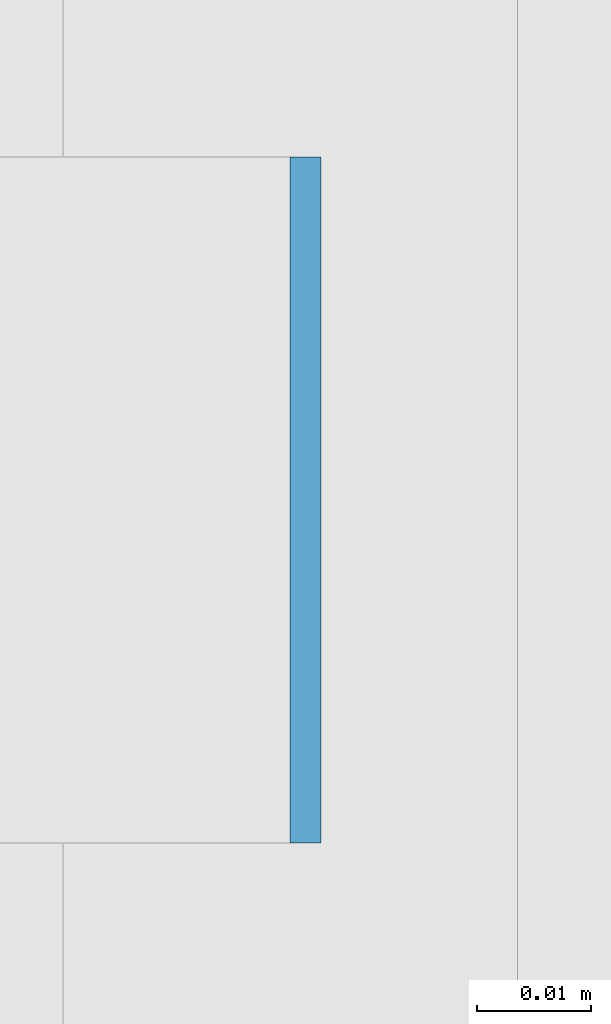
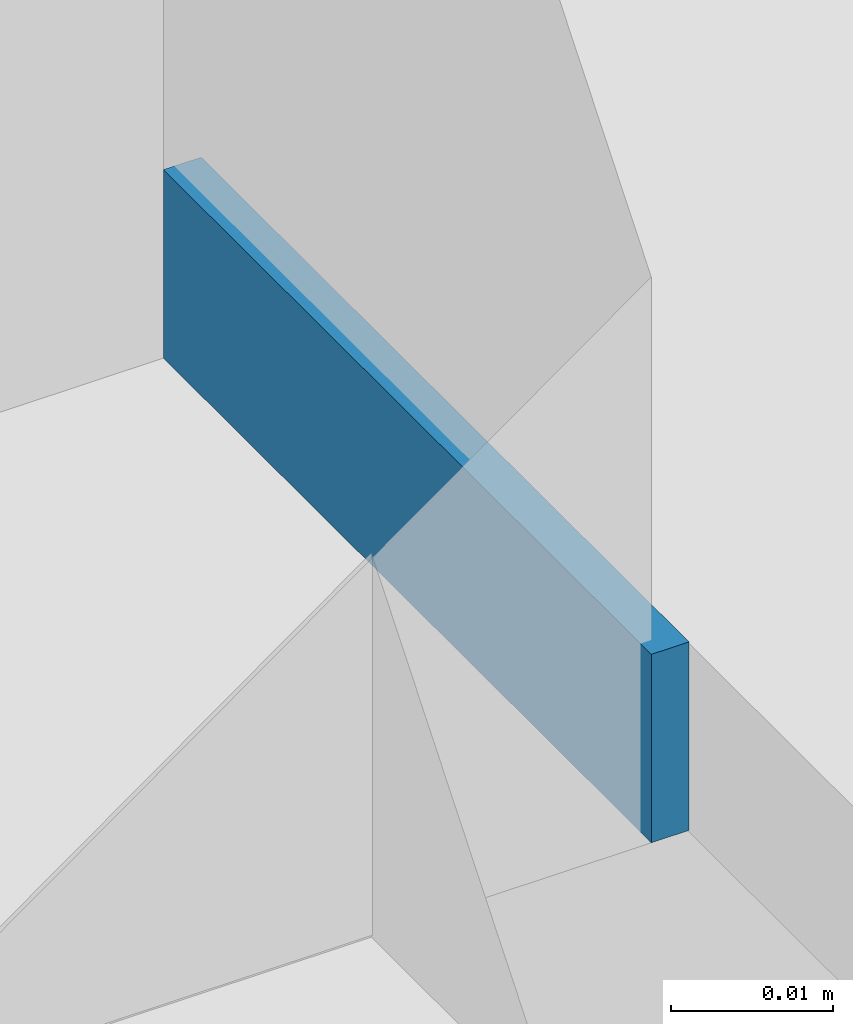
# One storey, part 406 of 646: 1 discrete accessory.
"""IFC4 building model written with IfcOpenShell, lengths in metres."""

from ifc_helpers import new_model, si_unit, direction, frame, origin, origin_2d, place, context, subcontext, project, spatial, rectangle, extrude, material, type_object, element, save


model = new_model("IFC4")

# Units and contexts
model_context = context("Model", 3, precision=1e-05, world=origin(), true_north=direction((0.0, 1.0)))
body_context = subcontext(model_context, "Body", "Model", "MODEL_VIEW")
ifc_project = project(units=[si_unit("LENGTHUNIT", "METRE"), si_unit("AREAUNIT", "SQUARE_METRE"), si_unit("VOLUMEUNIT", "CUBIC_METRE"), si_unit("PLANEANGLEUNIT", "RADIAN"), si_unit("MASSUNIT", "GRAM", prefix="KILO")], contexts=[model_context])

# Site, building, storey
site_placement = place(None, origin())
site = spatial("IfcSite", under=ifc_project, at=site_placement, CompositionType="ELEMENT")
building_placement = place(site_placement, origin())
building = spatial("IfcBuilding", under=site, at=building_placement, Name="Silverbay Arena", CompositionType="ELEMENT")
storey_placement = place(building_placement, frame((0.0, 0.0, 33.5)))
storey = spatial("IfcBuildingStorey", under=building, at=storey_placement, Name="L05", CompositionType="ELEMENT", Elevation=33.5)

# Discrete accessory
ifc_material = material(Name="Steel S355", Category="steel")
discrete_accessory_type = type_object("IfcDiscreteAccessoryType", Name="Steel bracket plate", PredefinedType="BRACKET", material=ifc_material)
discrete_accessory_placement = place(storey_placement, frame((53.871337890625, 122.142822265625, 4.0), z_axis=(0.0, 0.0, 1.0), x_axis=(1.0, 0.0, 0.0)))
element("IfcDiscreteAccessory", 1, at=discrete_accessory_placement, inside=storey, type_object=discrete_accessory_type, Name="Curtain wall packing plate", PredefinedType="BRACKET", context=body_context, shape_type="SweptSolid", body=[
    extrude(rectangle(XDim=0.002685546875, YDim=0.06005859375, at=origin_2d()), origin(), (0.0, 0.0, 1.0), 0.01416015625),
])

save(model, "model.ifc")
